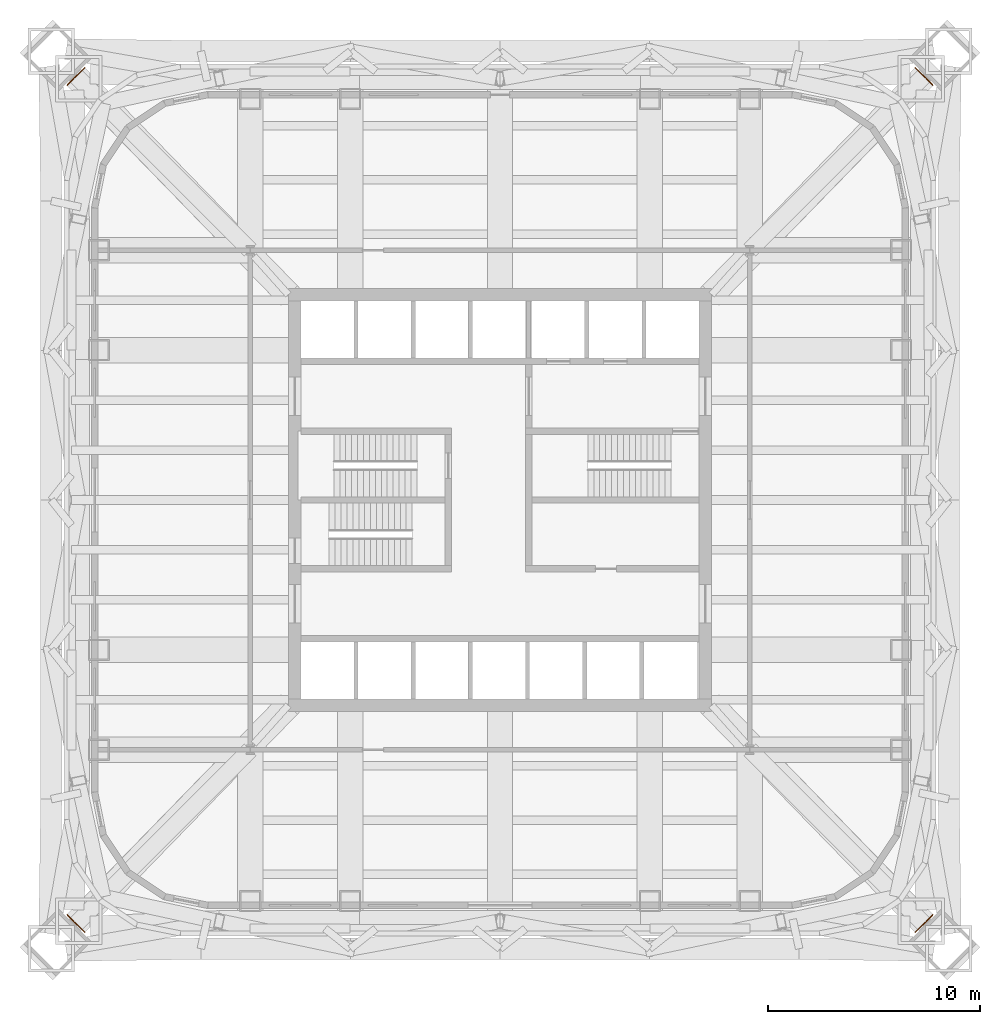
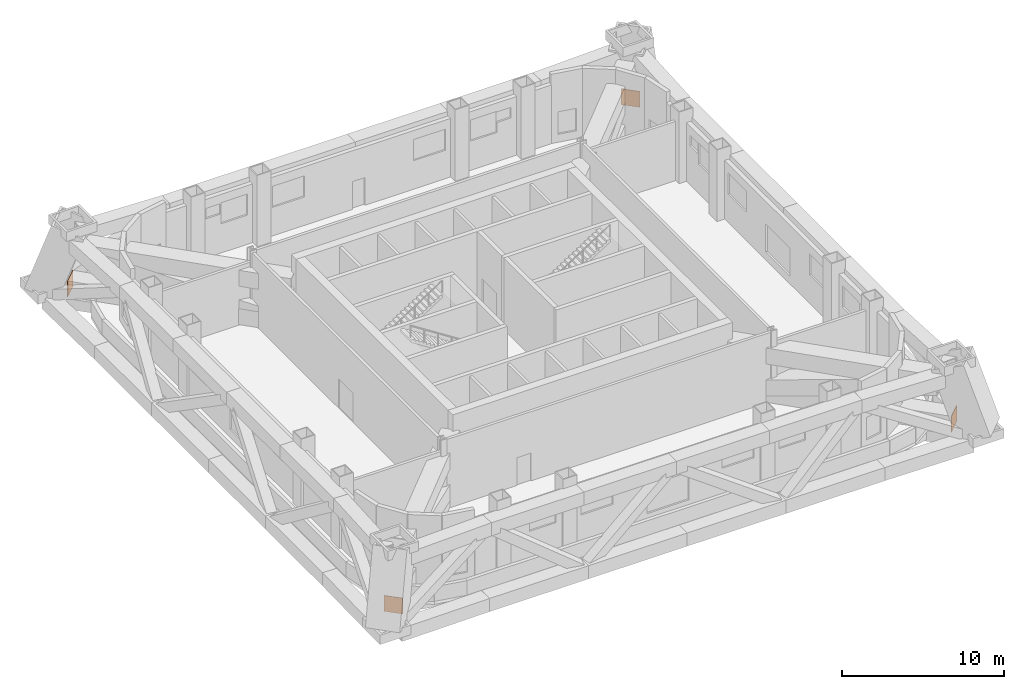
# One storey, part 9 of 9: 4 proxies.
"""IFC4 building model written with IfcOpenShell, lengths in metres."""

from ifc_helpers import new_model, si_unit, direction, frame, origin, origin_2d, place, context, subcontext, project, spatial, rectangle, extrude, material, layer, layer_set, type_object, element, save


model = new_model("IFC4")

# Units and contexts
model_context = context("Model", 3, precision=1e-05, world=origin(), true_north=direction((0.0, 1.0)))
body_context = subcontext(model_context, "Body", "Model", "MODEL_VIEW")
ifc_project = project(units=[si_unit("LENGTHUNIT", "METRE"), si_unit("AREAUNIT", "SQUARE_METRE"), si_unit("VOLUMEUNIT", "CUBIC_METRE"), si_unit("PLANEANGLEUNIT", "RADIAN"), si_unit("MASSUNIT", "GRAM", prefix="KILO")], contexts=[model_context])

# Site, building, storey
site_placement = place(None, origin())
site = spatial("IfcSite", under=ifc_project, at=site_placement, CompositionType="ELEMENT")
building_placement = place(site_placement, origin())
building = spatial("IfcBuilding", under=site, at=building_placement, Name="Turquesa Mirador Hotel Tower", CompositionType="ELEMENT")
storey_placement = place(building_placement, frame((0.0, 0.0, 156.39990234375)))
storey = spatial("IfcBuildingStorey", under=building, at=storey_placement, Name="L42", CompositionType="ELEMENT", Elevation=156.39990234375)

# Proxies
ifc_material = material(Name="Steel ASTM A572 Grade 50", Category="steel")
ifc_layer = layer(ifc_material, 0.0400390625)
ifc_layer_set = layer_set([ifc_layer], Name="END PLATE ON OUTRIGGER CHORD 1200X1200X40")
building_element_proxy_type = type_object("IfcBuildingElementProxyType", Name="END PLATE ON OUTRIGGER CHORD 1200X1200X40", PredefinedType="USERDEFINED", material=ifc_layer_set)
for number, where, z_axis, x_axis, name in (
    (1, (75.03515625, 65.0078125, 0.05029296875), (0.0, 0.0, 1.0), (0.697568481408, 0.716518118226, 0.0), "Outrigger bottom chord 1 end plate"),
    (2, (34.96484375, 65.0078125, 0.05029296875), (0.0, 0.0, 1.0), (-0.697568481408, 0.716518118226, 0.0), "Outrigger bottom chord 2 end plate"),
    (3, (34.96484375, 24.9921875, 0.05029296875), (0.0, 0.0, 1.0), (-0.697568481408, -0.716518118226, 0.0), "Outrigger bottom chord 3 end plate"),
    (4, (75.03515625, 24.9921875, 0.05029296875), (0.0, 0.0, 1.0), (0.697568481408, -0.716518118226, 0.0), "Outrigger bottom chord 4 end plate"),
):
    element("IfcBuildingElementProxy", number, at=place(storey_placement, frame(where, z_axis=z_axis, x_axis=x_axis)), inside=storey, type_object=building_element_proxy_type, Name=name, ObjectType="END PLATE", PredefinedType="USERDEFINED", context=body_context, shape_type="SweptSolid", body=[
        extrude(rectangle(XDim=0.0400390625, YDim=1.199951171875, at=origin_2d()), origin(), (0.0, 0.0, 1.0), 1.199951171875),
    ])

save(model, "model.ifc")
